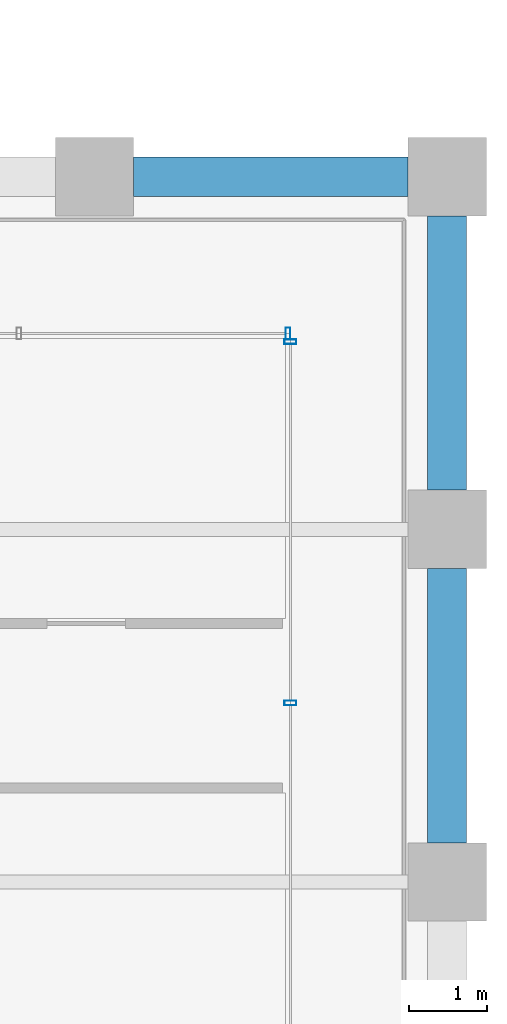
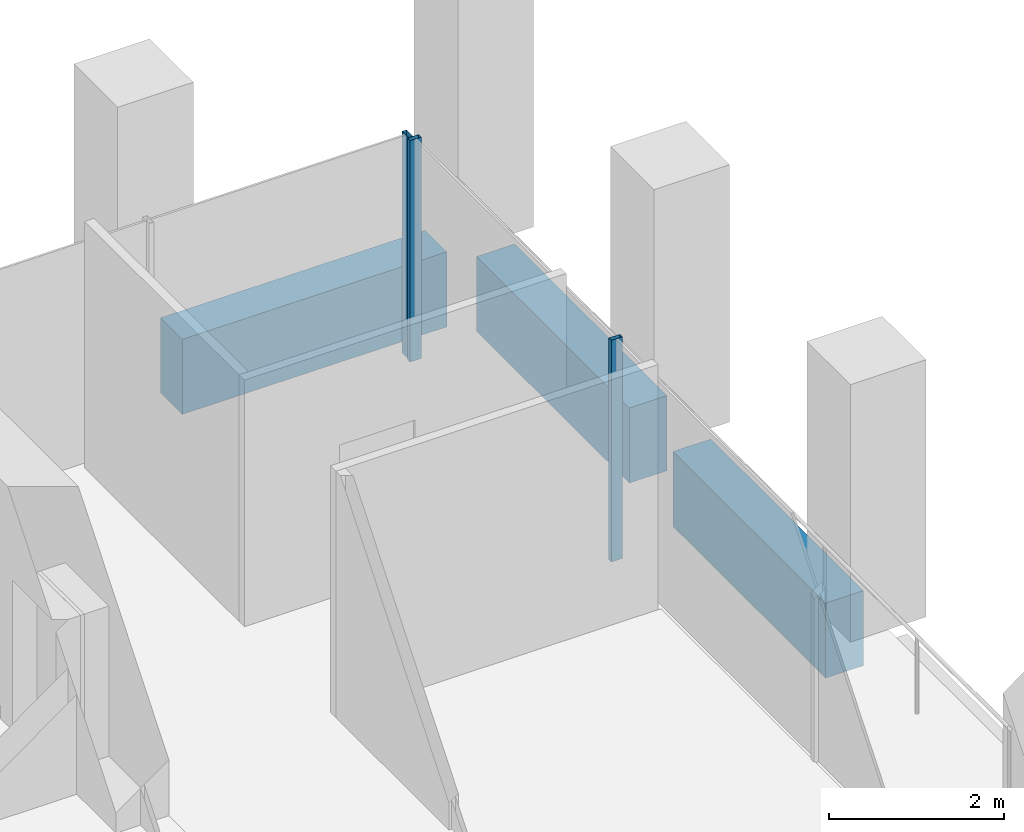
# One storey, part 38 of 47: 3 beams, 3 members, 2 elements without a shape of their own.
"""IFC4 building model written with IfcOpenShell, lengths in metres."""

from ifc_helpers import new_model, si_unit, direction, frame, origin, origin_2d, place, context, subcontext, project, spatial, rectangle, hollow_rectangle, extrude, material, material_profile, profile_set, type_object, element, aggregate, save


model = new_model("IFC4")

# Units and contexts
model_context = context("Model", 3, precision=1e-05, world=origin(), true_north=direction((0.0, 1.0)))
body_context = subcontext(model_context, "Body", "Model", "MODEL_VIEW")
ifc_project = project(units=[si_unit("LENGTHUNIT", "METRE"), si_unit("AREAUNIT", "SQUARE_METRE"), si_unit("VOLUMEUNIT", "CUBIC_METRE"), si_unit("PLANEANGLEUNIT", "RADIAN"), si_unit("MASSUNIT", "GRAM", prefix="KILO")], contexts=[model_context])

# Site, building, storey
site_placement = place(None, origin())
site = spatial("IfcSite", under=ifc_project, at=site_placement, CompositionType="ELEMENT")
building_placement = place(site_placement, origin())
building = spatial("IfcBuilding", under=site, at=building_placement, Name="Altepetl Exchange Towers", CompositionType="ELEMENT")
storey_placement = place(building_placement, frame((0.0, 0.0, 99.199951171875)))
storey = spatial("IfcBuildingStorey", under=building, at=storey_placement, Name="L24", CompositionType="ELEMENT", Elevation=99.199951171875)

# Curtain wall, members
ifc_material_1 = material(Name="Aluminium 6063-T6 glazing", Category="aluminium")
curtain_wall_type = type_object("IfcCurtainWallType", Name="Loggia glazing system", PredefinedType="NOTDEFINED", material=ifc_material_1)
curtain_wall_1_placement = place(storey_placement, origin())
curtain_wall_1 = element("IfcCurtainWall", 1, at=curtain_wall_1_placement, inside=storey, type_object=curtain_wall_type, Name="CW1 run", PredefinedType="NOTDEFINED")
ifc_material_2 = material(Name="Aluminium 6063-T6", Category="aluminium")
ifc_material_profile_1 = material_profile(ifc_material_2, hollow_rectangle(XDim=0.06005859375, YDim=0.14990234375, WallThickness=0.0029296875, at=origin_2d()), Name="Mullion 60x150 aluminium")
ifc_profile_set_1 = profile_set([ifc_material_profile_1], Name="Aluminium 6063-T6")
member_type = type_object("IfcMemberType", Name="Mullion 60x150 aluminium", PredefinedType="MULLION", material=ifc_profile_set_1)
member_1_placement = place(storey_placement, frame((124.0, 42.783447265625, 0.0), z_axis=(0.0, 0.0, 1.0), x_axis=(0.0, 1.0, 0.0)))
member_1 = element("IfcMember", 2, at=member_1_placement, type_object=member_type, Name="MU1 mullion", PredefinedType="MULLION", context=body_context, shape_type="SweptSolid", body=[
    extrude(hollow_rectangle(XDim=0.06005859375, YDim=0.14990234375, WallThickness=0.0029296875, at=origin_2d()), origin(), (0.0, 0.0, 1.0), 3.10009765625),
])
member_2_placement = place(storey_placement, frame((124.0, 47.39501953125, 0.0), z_axis=(0.0, 0.0, 1.0), x_axis=(0.0, 1.0, 0.0)))
member_2 = element("IfcMember", 3, at=member_2_placement, type_object=member_type, Name="MU1 mullion", PredefinedType="MULLION", context=body_context, shape_type="SweptSolid", body=[
    extrude(hollow_rectangle(XDim=0.06005859375, YDim=0.14990234375, WallThickness=0.0029296875, at=origin_2d()), origin(), (0.0, 0.0, 1.0), 3.10009765625),
])
aggregate(curtain_wall_1, [member_1, member_2])

# Curtain wall, member
curtain_wall_2_placement = place(storey_placement, origin())
curtain_wall_2 = element("IfcCurtainWall", 4, at=curtain_wall_2_placement, inside=storey, type_object=curtain_wall_type, Name="CW1 run", PredefinedType="NOTDEFINED")
member_3_placement = place(storey_placement, frame((123.969970703125, 47.5, 0.0), z_axis=(0.0, 0.0, 1.0), x_axis=(-1.0, 0.0, 0.0)))
member_3 = element("IfcMember", 5, at=member_3_placement, type_object=member_type, Name="MU1 mullion", PredefinedType="MULLION", context=body_context, shape_type="SweptSolid", body=[
    extrude(hollow_rectangle(XDim=0.06005859375, YDim=0.14990234375, WallThickness=0.0029296875, at=origin_2d()), origin(), (0.0, 0.0, 1.0), 3.10009765625),
])
aggregate(curtain_wall_2, [member_3])

# Beams
ifc_material_3 = material(Name="Concrete C50/60 precast with cantera amarilla facing", Category="concrete")
ifc_material_profile_2 = material_profile(ifc_material_3, rectangle(XDim=0.5, YDim=1.050048828125, at=origin_2d()), Name="500 x 1050")
ifc_profile_set_2 = profile_set([ifc_material_profile_2], Name="Concrete C50/60 precast with cantera amarilla facing")
beam_type_1 = type_object("IfcBeamType", Name="Spandrel beam 500x1050 cantera amarilla", PredefinedType="SPANDREL", material=ifc_profile_set_2)
beam_placement = place(storey_placement, frame((125.5, 49.5, -0.675048828125), z_axis=(-1.0, 0.0, 0.0), x_axis=(0.0, -1.0, 0.0)))
element("IfcBeam", 6, at=beam_placement, inside=storey, type_object=beam_type_1, Name="sp:B:L24:013", PredefinedType="SPANDREL", context=body_context, shape_type="SweptSolid", body=[
    extrude(rectangle(XDim=0.5, YDim=1.050048828125, at=origin_2d()), origin(), (0.0, 0.0, 1.0), 3.5),
])
ifc_material_4 = material(Name="Concrete C50/60 precast with cantera blanca facing", Category="concrete")
ifc_material_profile_3 = material_profile(ifc_material_4, rectangle(XDim=0.5, YDim=1.050048828125, at=origin_2d()), Name="500 x 1050")
ifc_profile_set_3 = profile_set([ifc_material_profile_3], Name="Concrete C50/60 precast with cantera blanca facing")
beam_type_2 = type_object("IfcBeamType", Name="Spandrel beam 500x1050 cantera blanca", PredefinedType="SPANDREL", material=ifc_profile_set_3)
for number, where, z_axis, x_axis, name in (
    (7, (126.0, 41.0, -0.675048828125), (0.0, 1.0, 0.0), (-1.0, 0.0, 0.0), "sp:B:L24:011"),
    (8, (126.0, 45.5, -0.675048828125), (0.0, 1.0, 0.0), (-1.0, 0.0, 0.0), "sp:B:L24:012"),
):
    element("IfcBeam", number, at=place(storey_placement, frame(where, z_axis=z_axis, x_axis=x_axis)), inside=storey, type_object=beam_type_2, Name=name, PredefinedType="SPANDREL", context=body_context, shape_type="SweptSolid", body=[
        extrude(rectangle(XDim=0.5, YDim=1.050048828125, at=origin_2d()), origin(), (0.0, 0.0, 1.0), 3.5),
    ])

save(model, "model.ifc")
